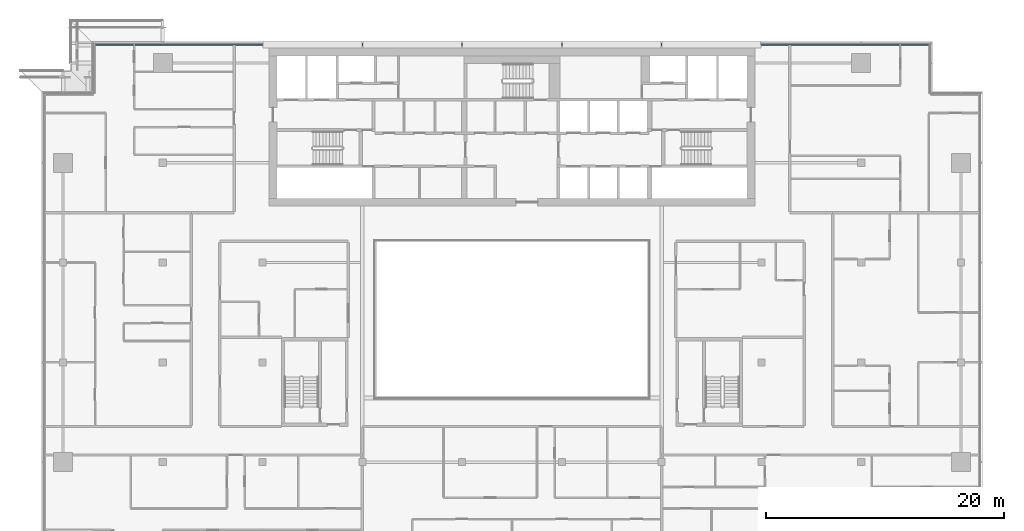
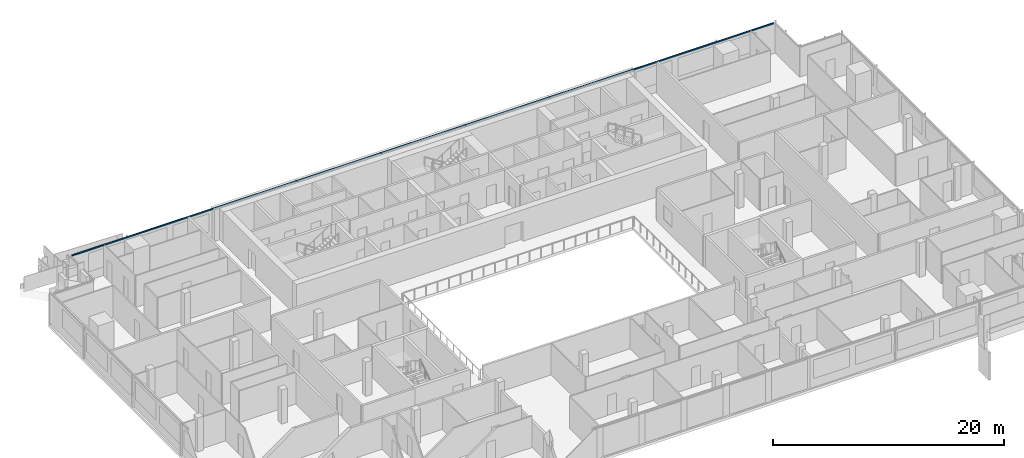
# One storey, part 11 of 30: 1 member, 1 element without a shape of its own.
"""IFC4 building model written with IfcOpenShell, lengths in metres."""

from ifc_helpers import new_model, si_unit, direction, frame, origin, origin_2d, place, context, subcontext, project, spatial, rectangle, extrude, material, material_profile, profile_set, type_object, element, aggregate, save


model = new_model("IFC4")

# Units and contexts
model_context = context("Model", 3, precision=1e-05, world=origin(), true_north=direction((0.0, 1.0)))
body_context = subcontext(model_context, "Body", "Model", "MODEL_VIEW")
ifc_project = project(units=[si_unit("LENGTHUNIT", "METRE"), si_unit("AREAUNIT", "SQUARE_METRE"), si_unit("VOLUMEUNIT", "CUBIC_METRE"), si_unit("PLANEANGLEUNIT", "RADIAN"), si_unit("MASSUNIT", "GRAM", prefix="KILO")], contexts=[model_context])

# Site, building, storey
site_placement = place(None, origin())
site = spatial("IfcSite", under=ifc_project, at=site_placement, CompositionType="ELEMENT")
building_placement = place(site_placement, origin())
building = spatial("IfcBuilding", under=site, at=building_placement, Name="Saffron Gate Tower", CompositionType="ELEMENT")
storey_placement = place(building_placement, frame((0.0, 0.0, 237.89990234375)))
storey = spatial("IfcBuildingStorey", under=building, at=storey_placement, Name="L58", CompositionType="ELEMENT", Elevation=237.89990234375)

# Curtain wall, member
ifc_material = material(Name="Aluminium, bronze anodised", Category="aluminium")
curtain_wall_type = type_object("IfcCurtainWallType", Name="CWS3 curtain wall rear facade", PredefinedType="NOTDEFINED", material=ifc_material)
curtain_wall_placement = place(storey_placement, origin())
curtain_wall = element("IfcCurtainWall", 1, at=curtain_wall_placement, inside=storey, type_object=curtain_wall_type, Name="CWS3 run 7", PredefinedType="NOTDEFINED")
ifc_material_profile = material_profile(ifc_material, rectangle(XDim=0.1201171875, YDim=0.1201171875, at=origin_2d()))
ifc_profile_set = profile_set([ifc_material_profile], Name="Aluminium, bronze anodised")
member_type = type_object("IfcMemberType", Name="CWS3 head transom", PredefinedType="USERDEFINED", material=ifc_profile_set)
member_placement = place(storey_placement, frame((122.632080078125, 75.35205078125, 3.260009765625), z_axis=(-1.0, 0.0, 0.0), x_axis=(0.0, -1.0, 0.0)))
member = element("IfcMember", 2, at=member_placement, type_object=member_type, Name="CWS3 head transom", ObjectType="TRANSOM", PredefinedType="USERDEFINED", context=body_context, shape_type="SweptSolid", body=[
    extrude(rectangle(XDim=0.1201171875, YDim=0.1201171875, at=origin_2d()), origin(), (0.0, 0.0, 1.0), 70.06396484375),
])
aggregate(curtain_wall, [member])

save(model, "model.ifc")
